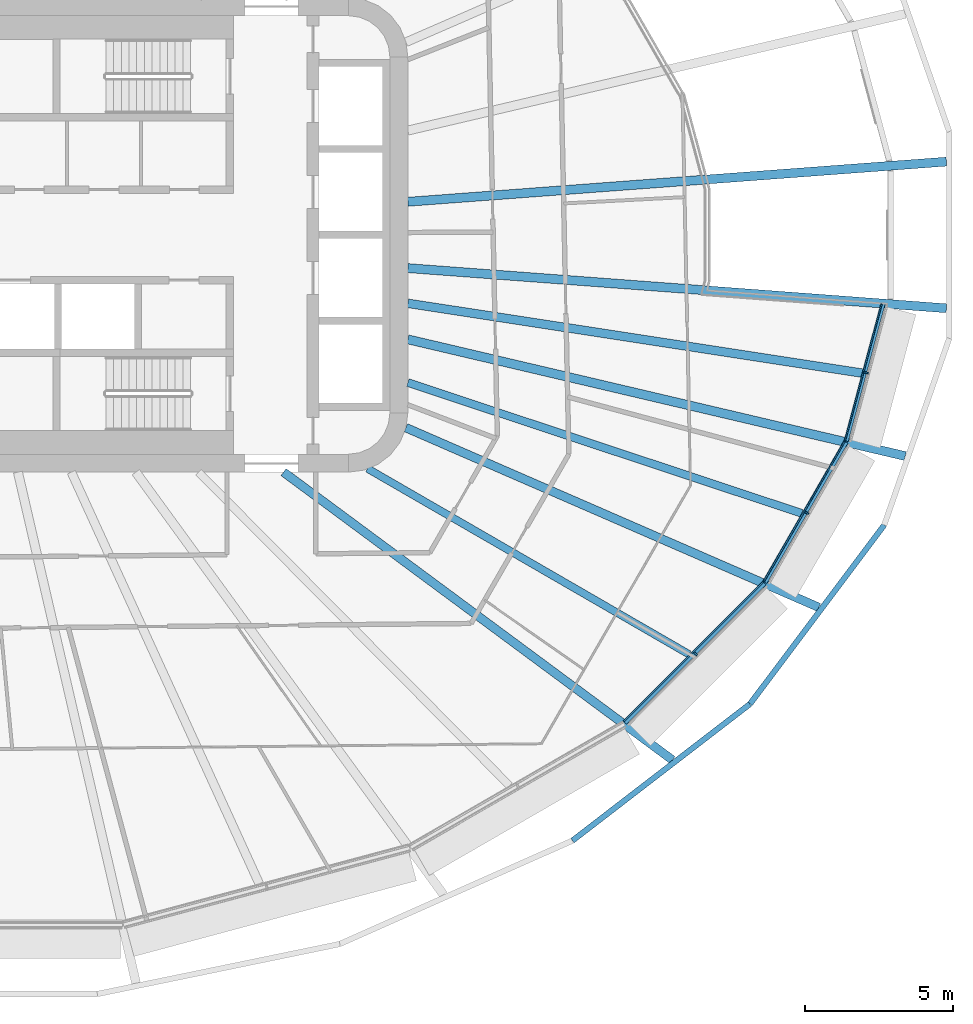
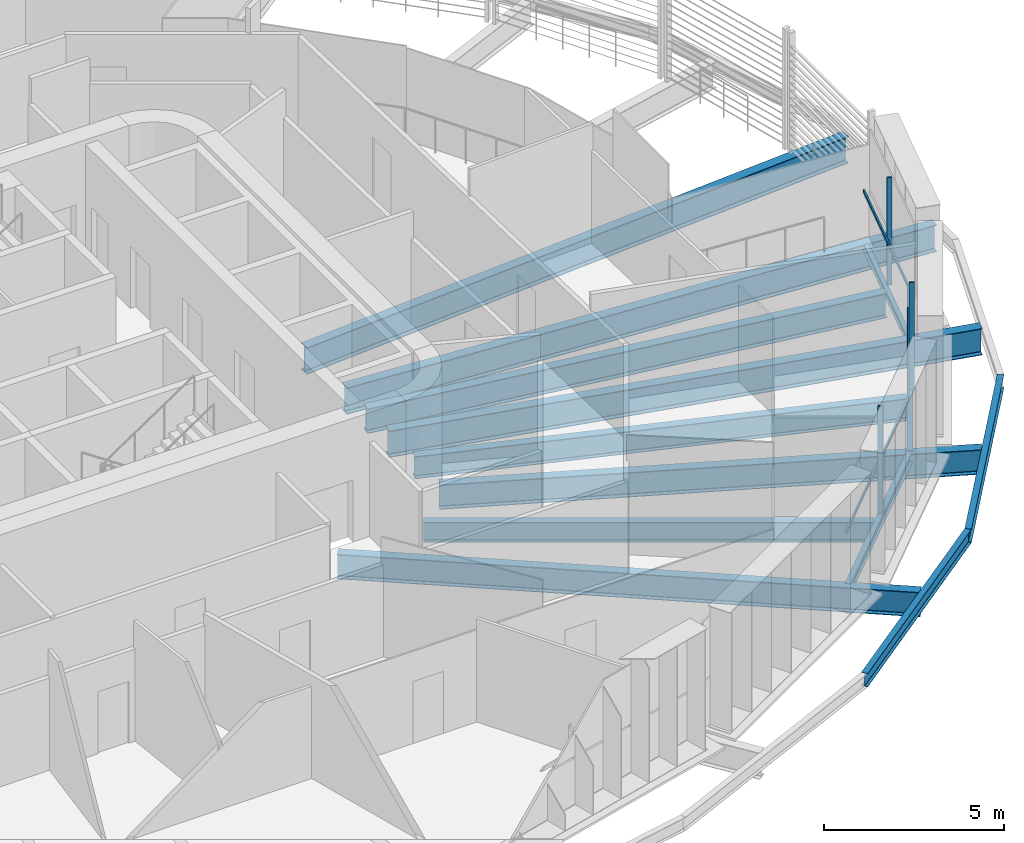
# One storey, part 5 of 24: 13 beams, 6 members, 3 elements without a shape of their own.
"""IFC4 building model written with IfcOpenShell, lengths in metres."""

from ifc_helpers import new_model, si_unit, direction, frame, origin, origin_2d, place, context, subcontext, project, spatial, rectangle, i_section, extrude, material, layer, layer_set, material_profile, profile_set, type_object, element, aggregate, save


model = new_model("IFC4")

# Units and contexts
model_context = context("Model", 3, precision=1e-05, world=origin(), true_north=direction((0.0, 1.0)))
body_context = subcontext(model_context, "Body", "Model", "MODEL_VIEW")
ifc_project = project(units=[si_unit("LENGTHUNIT", "METRE"), si_unit("AREAUNIT", "SQUARE_METRE"), si_unit("VOLUMEUNIT", "CUBIC_METRE"), si_unit("PLANEANGLEUNIT", "RADIAN"), si_unit("MASSUNIT", "GRAM", prefix="KILO")], contexts=[model_context])

# Site, building, storey
site_placement = place(None, origin())
site = spatial("IfcSite", under=ifc_project, at=site_placement, CompositionType="ELEMENT")
building_placement = place(site_placement, origin())
building = spatial("IfcBuilding", under=site, at=building_placement, Name="Sahrelin Media Tower", CompositionType="ELEMENT")
storey_placement = place(building_placement, frame((0.0, 0.0, 71.39990234375)))
storey = spatial("IfcBuildingStorey", under=building, at=storey_placement, Name="L12", CompositionType="ELEMENT", Elevation=71.39990234375)

# Beams
ifc_material_1 = material(Name="Steel S355", Category="steel")
ifc_material_profile_1 = material_profile(ifc_material_1, i_section(OverallWidth=0.14599609375, OverallDepth=0.25146484375, WebThickness=0.006103515625, FlangeThickness=0.008544921875, FilletRadius=0.007568359375, at=origin_2d()), Name="UB 254x146x31")
ifc_profile_set_1 = profile_set([ifc_material_profile_1], Name="Steel S355")
beam_type_1 = type_object("IfcBeamType", Name="Edge beam EB1", PredefinedType="BEAM", material=ifc_profile_set_1)
beam_1_placement = place(storey_placement, frame((31.02294921875, -2.319091796875, -0.275634765625), z_axis=(-0.258831956823, -0.965922366511, 0.0), x_axis=(0.965922366511, -0.258831956823, 0.0)))
element("IfcBeam", 1, at=beam_1_placement, inside=storey, type_object=beam_type_1, Name="Edge beam L12-01", PredefinedType="BEAM", context=body_context, shape_type="SweptSolid", body=[
    extrude(i_section(OverallWidth=0.14599609375, OverallDepth=0.25146484375, WebThickness=0.006103515625, FlangeThickness=0.008544921875, FilletRadius=0.007568359375, at=origin_2d()), origin(), (0.0, 0.0, 1.0), 4.79443359375),
])
ifc_material_profile_2 = material_profile(ifc_material_1, i_section(OverallWidth=0.1650390625, OverallDepth=0.303466796875, WebThickness=0.006103515625, FlangeThickness=0.01025390625, FilletRadius=0.0087890625, at=origin_2d()), Name="UB 305x165x40")
ifc_profile_set_2 = profile_set([ifc_material_profile_2], Name="Steel S355")
beam_type_2 = type_object("IfcBeamType", Name="Edge beam EB2", PredefinedType="BEAM", material=ifc_profile_set_2)
beam_2_placement = place(storey_placement, frame((29.77099609375, -6.976806640625, -0.301513671875), z_axis=(-0.500000789788, -0.8660249478, 0.0), x_axis=(0.8660249478, -0.500000789788, 0.0)))
element("IfcBeam", 2, at=beam_2_placement, inside=storey, type_object=beam_type_2, Name="Edge beam L12-02", PredefinedType="BEAM", context=body_context, shape_type="SweptSolid", body=[
    extrude(i_section(OverallWidth=0.1650390625, OverallDepth=0.303466796875, WebThickness=0.006103515625, FlangeThickness=0.01025390625, FilletRadius=0.0087890625, at=origin_2d()), origin(), (0.0, 0.0, 1.0), 5.466796875),
])
ifc_material_profile_3 = material_profile(ifc_material_1, i_section(OverallWidth=0.17138671875, OverallDepth=0.35498046875, WebThickness=0.00732421875, FlangeThickness=0.011474609375, FilletRadius=0.01025390625, at=origin_2d()), Name="UB 356x171x51")
ifc_profile_set_3 = profile_set([ifc_material_profile_3], Name="Steel S355")
beam_type_3 = type_object("IfcBeamType", Name="Edge beam EB3", PredefinedType="BEAM", material=ifc_profile_set_3)
beam_3_placement = place(storey_placement, frame((27.02001953125, -11.734130859375, -0.327392578125), z_axis=(-0.707106781187, -0.707106781187, 0.0), x_axis=(0.707106781187, -0.707106781187, 0.0)))
element("IfcBeam", 3, at=beam_3_placement, inside=storey, type_object=beam_type_3, Name="Edge beam L12-03", PredefinedType="BEAM", context=body_context, shape_type="SweptSolid", body=[
    extrude(i_section(OverallWidth=0.17138671875, OverallDepth=0.35498046875, WebThickness=0.00732421875, FlangeThickness=0.011474609375, FilletRadius=0.01025390625, at=origin_2d()), origin(), (0.0, 0.0, 1.0), 6.66015625),
])

# Curtain wall, member
ifc_material_2 = material(Name="Champagne anodised aluminium 6063-T6", Category="aluminium")
ifc_layer = layer(ifc_material_2, 0.14990234375)
ifc_layer_set = layer_set([ifc_layer], Name="Tower ribbon curtain wall")
curtain_wall_type = type_object("IfcCurtainWallType", Name="Tower ribbon curtain wall", PredefinedType="NOTDEFINED", material=ifc_layer_set)
curtain_wall_1_placement = place(storey_placement, frame((24.771240234375, -14.19482421875, 0.0), z_axis=(0.0, 0.0, 1.0), x_axis=(1.0, 0.0, 0.0)))
curtain_wall_1 = element("IfcCurtainWall", 4, at=curtain_wall_1_placement, inside=storey, type_object=curtain_wall_type, Name="L12:CW:L12-21", PredefinedType="NOTDEFINED")
ifc_material_profile_4 = material_profile(ifc_material_2, rectangle(XDim=0.06005859375, YDim=0.14990234375, at=origin_2d()), Name="Mullion 60x150")
ifc_profile_set_4 = profile_set([ifc_material_profile_4], Name="Champagne anodised aluminium 6063-T6")
member_type_1 = type_object("IfcMemberType", Name="Mullion 60x150 CW1", PredefinedType="MULLION", material=ifc_profile_set_4)
member_1_placement = place(storey_placement, frame((24.7041015625, -14.127685546875, 0.0), z_axis=(0.0, 0.0, 1.0), x_axis=(0.707106781187, 0.707106781187, 0.0)))
member_1 = element("IfcMember", 5, at=member_1_placement, type_object=member_type_1, Name="L12:CWM:L12-21", PredefinedType="MULLION", context=body_context, shape_type="SweptSolid", body=[
    extrude(rectangle(XDim=0.06005859375, YDim=0.14990234375, at=origin_2d()), origin(), (0.0, 0.0, 1.0), 3.648681640625),
])

curtain_wall_2_placement = place(storey_placement, frame((28.5341796875, -9.4189453125, 0.0), z_axis=(0.0, 0.0, 1.0), x_axis=(1.0, 0.0, 0.0)))
curtain_wall_2 = element("IfcCurtainWall", 6, at=curtain_wall_2_placement, inside=storey, type_object=curtain_wall_type, Name="L12:CW:L12-22", PredefinedType="NOTDEFINED")
member_2_placement = place(storey_placement, frame((28.451904296875, -9.37158203125, 0.0), z_axis=(0.0, 0.0, 1.0), x_axis=(0.5, 0.866025403784, 0.0)))
member_2 = element("IfcMember", 7, at=member_2_placement, type_object=member_type_1, Name="L12:CWM:L12-22", PredefinedType="MULLION", context=body_context, shape_type="SweptSolid", body=[
    extrude(rectangle(XDim=0.06005859375, YDim=0.14990234375, at=origin_2d()), origin(), (0.0, 0.0, 1.0), 3.648681640625),
])

curtain_wall_3_placement = place(storey_placement, frame((30.54736328125, -4.67333984375, 0.0), z_axis=(0.0, 0.0, 1.0), x_axis=(1.0, 0.0, 0.0)))
curtain_wall_3 = element("IfcCurtainWall", 8, at=curtain_wall_3_placement, inside=storey, type_object=curtain_wall_type, Name="L12:CW:L12-23", PredefinedType="NOTDEFINED")
member_3_placement = place(storey_placement, frame((30.45556640625, -4.648681640625, 0.0), z_axis=(0.0, 0.0, 1.0), x_axis=(0.258807244073, 0.965928988288, 0.0)))
member_3 = element("IfcMember", 9, at=member_3_placement, type_object=member_type_1, Name="L12:CWM:L12-23", PredefinedType="MULLION", context=body_context, shape_type="SweptSolid", body=[
    extrude(rectangle(XDim=0.06005859375, YDim=0.14990234375, at=origin_2d()), origin(), (0.0, 0.0, 1.0), 3.648681640625),
])

# Beams
ifc_material_profile_5 = material_profile(ifc_material_1, i_section(OverallWidth=0.291748046875, OverallDepth=0.8349609375, WebThickness=0.013916015625, FlangeThickness=0.018798828125, FilletRadius=0.017822265625, at=origin_2d()), Name="UB 838x292x176")
ifc_profile_set_5 = profile_set([ifc_material_profile_5], Name="Steel S355")
beam_type_4 = type_object("IfcBeamType", Name="Radial primary beam PB10", PredefinedType="BEAM", material=ifc_profile_set_5)
beam_4_placement = place(storey_placement, frame((10.808349609375, -8.0, -0.5673828125), z_axis=(0.803782665278, -0.594923042922, 0.0), x_axis=(0.594923042922, 0.803782665278, 0.0)))
element("IfcBeam", 10, at=beam_4_placement, inside=storey, type_object=beam_type_4, Name="Radial beam L12-21", PredefinedType="BEAM", context=body_context, shape_type="SweptSolid", body=[
    extrude(i_section(OverallWidth=0.291748046875, OverallDepth=0.8349609375, WebThickness=0.013916015625, FlangeThickness=0.018798828125, FilletRadius=0.017822265625, at=origin_2d()), origin(), (0.0, 0.0, 1.0), 16.3193359375),
])
beam_5_placement = place(storey_placement, frame((14.934326171875, -6.49951171875, -0.5673828125), z_axis=(0.916931758114, -0.399044046394, 0.0), x_axis=(0.399044046394, 0.916931758114, 0.0)))
element("IfcBeam", 11, at=beam_5_placement, inside=storey, type_object=beam_type_4, Name="Radial beam L12-22", PredefinedType="BEAM", context=body_context, shape_type="SweptSolid", body=[
    extrude(i_section(OverallWidth=0.291748046875, OverallDepth=0.8349609375, WebThickness=0.013916015625, FlangeThickness=0.018798828125, FilletRadius=0.017822265625, at=origin_2d()), origin(), (0.0, 0.0, 1.0), 15.189453125),
])
ifc_material_profile_6 = material_profile(ifc_material_1, i_section(OverallWidth=0.30322265625, OverallDepth=0.903076171875, WebThickness=0.01513671875, FlangeThickness=0.020263671875, FilletRadius=0.01904296875, at=origin_2d()), Name="UB 914x305x201")
ifc_profile_set_6 = profile_set([ifc_material_profile_6], Name="Steel S355")
beam_type_5 = type_object("IfcBeamType", Name="Radial primary beam PB11", PredefinedType="BEAM", material=ifc_profile_set_6)
beam_6_placement = place(storey_placement, frame((15.0, 1.118408203125, -0.601318359375), z_axis=(0.997230836843, 0.07436839415, 0.0), x_axis=(-0.07436839415, 0.997230836843, 0.0)))
element("IfcBeam", 12, at=beam_6_placement, inside=storey, type_object=beam_type_5, Name="Radial beam L12-01", PredefinedType="BEAM", context=body_context, shape_type="SweptSolid", body=[
    extrude(i_section(OverallWidth=0.30322265625, OverallDepth=0.903076171875, WebThickness=0.01513671875, FlangeThickness=0.020263671875, FilletRadius=0.01904296875, at=origin_2d()), origin(), (0.0, 0.0, 1.0), 18.21337890625),
])
beam_7_placement = place(storey_placement, frame((15.0, -3.520751953125, -0.601318359375), z_axis=(0.973545976239, -0.228491208034, 0.0), x_axis=(0.228491208034, 0.973545976239, 0.0)))
element("IfcBeam", 13, at=beam_7_placement, inside=storey, type_object=beam_type_5, Name="Radial beam L12-23", PredefinedType="BEAM", context=body_context, shape_type="SweptSolid", body=[
    extrude(i_section(OverallWidth=0.30322265625, OverallDepth=0.903076171875, WebThickness=0.01513671875, FlangeThickness=0.020263671875, FilletRadius=0.01904296875, at=origin_2d()), origin(), (0.0, 0.0, 1.0), 17.23046875),
])
beam_8_placement = place(storey_placement, frame((15.0, -1.118408203125, -0.601318359375), z_axis=(0.997230836843, -0.07436839415, 0.0), x_axis=(0.07436839415, 0.997230836843, 0.0)))
element("IfcBeam", 14, at=beam_8_placement, inside=storey, type_object=beam_type_5, Name="Radial beam L12-24", PredefinedType="BEAM", context=body_context, shape_type="SweptSolid", body=[
    extrude(i_section(OverallWidth=0.30322265625, OverallDepth=0.903076171875, WebThickness=0.01513671875, FlangeThickness=0.020263671875, FilletRadius=0.01904296875, at=origin_2d()), origin(), (0.0, 0.0, 1.0), 18.21337890625),
])
ifc_material_profile_7 = material_profile(ifc_material_1, i_section(OverallWidth=0.291748046875, OverallDepth=0.8349609375, WebThickness=0.013916015625, FlangeThickness=0.018798828125, FilletRadius=0.017822265625, at=origin_2d()), Name="UB 838x292x176")
ifc_profile_set_7 = profile_set([ifc_material_profile_7], Name="Steel S355")
beam_type_6 = type_object("IfcBeamType", Name="Radial secondary beam SB10", PredefinedType="BEAM", material=ifc_profile_set_7)
beam_9_placement = place(storey_placement, frame((15.0, -2.30517578125, -0.5673828125), z_axis=(0.988398085929, -0.151885561299, 0.0), x_axis=(0.151885561299, 0.988398085929, 0.0)))
element("IfcBeam", 15, at=beam_9_placement, inside=storey, type_object=beam_type_6, Name="Secondary beam L12-20", PredefinedType="BEAM", context=body_context, shape_type="SweptSolid", body=[
    extrude(i_section(OverallWidth=0.291748046875, OverallDepth=0.8349609375, WebThickness=0.013916015625, FlangeThickness=0.018798828125, FilletRadius=0.017822265625, at=origin_2d()), origin(), (0.0, 0.0, 1.0), 15.500244140625),
])
ifc_material_profile_8 = material_profile(ifc_material_1, i_section(OverallWidth=0.2529296875, OverallDepth=0.677978515625, WebThickness=0.01171875, FlangeThickness=0.01611328125, FilletRadius=0.01513671875, at=origin_2d()), Name="UB 686x254x125")
ifc_profile_set_8 = profile_set([ifc_material_profile_8], Name="Steel S355")
beam_type_7 = type_object("IfcBeamType", Name="Radial secondary beam SB8", PredefinedType="BEAM", material=ifc_profile_set_8)
beam_10_placement = place(storey_placement, frame((13.64208984375, -7.88037109375, -0.48876953125), z_axis=(0.865904098404, -0.500210048246, 0.0), x_axis=(0.500210048246, 0.865904098404, 0.0)))
element("IfcBeam", 16, at=beam_10_placement, inside=storey, type_object=beam_type_7, Name="Secondary beam L12-18", PredefinedType="BEAM", context=body_context, shape_type="SweptSolid", body=[
    extrude(i_section(OverallWidth=0.2529296875, OverallDepth=0.677978515625, WebThickness=0.01171875, FlangeThickness=0.01611328125, FilletRadius=0.01513671875, at=origin_2d()), origin(), (0.0, 0.0, 1.0), 12.52490234375),
])
ifc_material_profile_9 = material_profile(ifc_material_1, i_section(OverallWidth=0.26513671875, OverallDepth=0.75390625, WebThickness=0.0126953125, FlangeThickness=0.017578125, FilletRadius=0.0166015625, at=origin_2d()), Name="UB 762x267x147")
ifc_profile_set_9 = profile_set([ifc_material_profile_9], Name="Steel S355")
beam_type_8 = type_object("IfcBeamType", Name="Radial secondary beam SB9", PredefinedType="BEAM", material=ifc_profile_set_9)
beam_11_placement = place(storey_placement, frame((15.0, -4.979248046875, -0.52685546875), z_axis=(0.949075049876, -0.315050074912, 0.0), x_axis=(0.315050074912, 0.949075049876, 0.0)))
element("IfcBeam", 17, at=beam_11_placement, inside=storey, type_object=beam_type_8, Name="Secondary beam L12-19", PredefinedType="BEAM", context=body_context, shape_type="SweptSolid", body=[
    extrude(i_section(OverallWidth=0.26513671875, OverallDepth=0.75390625, WebThickness=0.0126953125, FlangeThickness=0.017578125, FilletRadius=0.0166015625, at=origin_2d()), origin(), (0.0, 0.0, 1.0), 13.995849609375),
])
ifc_material_profile_10 = material_profile(ifc_material_1, i_section(OverallWidth=0.1904296875, OverallDepth=0.45703125, WebThickness=0.009033203125, FlangeThickness=0.014404296875, FilletRadius=0.01025390625, at=origin_2d()), Name="UB 457x191x74")
ifc_profile_set_10 = profile_set([ifc_material_profile_10], Name="Steel S355")
beam_type_9 = type_object("IfcBeamType", Name="Tie chord TC5", PredefinedType="BEAM", material=ifc_profile_set_10)
beam_12_placement = place(storey_placement, frame((20.551513671875, -20.426025390625, -0.37841796875), z_axis=(0.79243291887, 0.609959071652, 0.0), x_axis=(-0.609959071652, 0.79243291887, 0.0)))
element("IfcBeam", 18, at=beam_12_placement, inside=storey, type_object=beam_type_9, Name="Tie chord L12-21", PredefinedType="BEAM", context=body_context, shape_type="SweptSolid", body=[
    extrude(i_section(OverallWidth=0.1904296875, OverallDepth=0.45703125, WebThickness=0.009033203125, FlangeThickness=0.014404296875, FilletRadius=0.01025390625, at=origin_2d()), origin(), (0.0, 0.0, 1.0), 7.553955078125),
])
beam_13_placement = place(storey_placement, frame((26.53759765625, -15.818359375, -0.37841796875), z_axis=(0.60006210035, 0.799953420971, 0.0), x_axis=(-0.799953420971, 0.60006210035, 0.0)))
element("IfcBeam", 19, at=beam_13_placement, inside=storey, type_object=beam_type_9, Name="Tie chord L12-22", PredefinedType="BEAM", context=body_context, shape_type="SweptSolid", body=[
    extrude(i_section(OverallWidth=0.1904296875, OverallDepth=0.45703125, WebThickness=0.009033203125, FlangeThickness=0.014404296875, FilletRadius=0.01025390625, at=origin_2d()), origin(), (0.0, 0.0, 1.0), 7.548095703125),
])

# Member
ifc_material_profile_11 = material_profile(ifc_material_2, rectangle(XDim=0.050048828125, YDim=0.10009765625, at=origin_2d()), Name="Transom 50x100")
ifc_profile_set_11 = profile_set([ifc_material_profile_11], Name="Champagne anodised aluminium 6063-T6")
member_type_2 = type_object("IfcMemberType", Name="Transom 50x100 CW1", PredefinedType="USERDEFINED", material=ifc_profile_set_11)
member_4_placement = place(storey_placement, frame((22.289794921875, -16.40087890625, 1.60009765625), z_axis=(0.707106781187, 0.707106781187, 0.0), x_axis=(-0.707106781187, 0.707106781187, 0.0)))
member_4 = element("IfcMember", 20, at=member_4_placement, type_object=member_type_2, Name="L12:CWT:L12-21", ObjectType="TRANSOM", PredefinedType="USERDEFINED", context=body_context, shape_type="SweptSolid", body=[
    extrude(rectangle(XDim=0.050048828125, YDim=0.10009765625, at=origin_2d()), origin(), (0.0, 0.0, 1.0), 6.629150390625),
])

aggregate(curtain_wall_1, [member_1, member_4])

member_5_placement = place(storey_placement, frame((27.006591796875, -11.675048828125, 1.60009765625), z_axis=(0.499989448911, 0.866031495373, 0.0), x_axis=(-0.866031495373, 0.499989448911, 0.0)))
member_5 = element("IfcMember", 21, at=member_5_placement, type_object=member_type_2, Name="L12:CWT:L12-22", ObjectType="TRANSOM", PredefinedType="USERDEFINED", context=body_context, shape_type="SweptSolid", body=[
    extrude(rectangle(XDim=0.050048828125, YDim=0.10009765625, at=origin_2d()), origin(), (0.0, 0.0, 1.0), 5.43505859375),
])

aggregate(curtain_wall_2, [member_2, member_5])

member_6_placement = place(storey_placement, frame((29.74267578125, -6.92333984375, 1.60009765625), z_axis=(0.258795012395, 0.965932265513, 0.0), x_axis=(-0.965932265513, 0.258795012395, 0.0)))
member_6 = element("IfcMember", 22, at=member_6_placement, type_object=member_type_2, Name="L12:CWT:L12-23", ObjectType="TRANSOM", PredefinedType="USERDEFINED", context=body_context, shape_type="SweptSolid", body=[
    extrude(rectangle(XDim=0.050048828125, YDim=0.10009765625, at=origin_2d()), origin(), (0.0, 0.0, 1.0), 4.76318359375),
])

aggregate(curtain_wall_3, [member_3, member_6])

save(model, "model.ifc")
